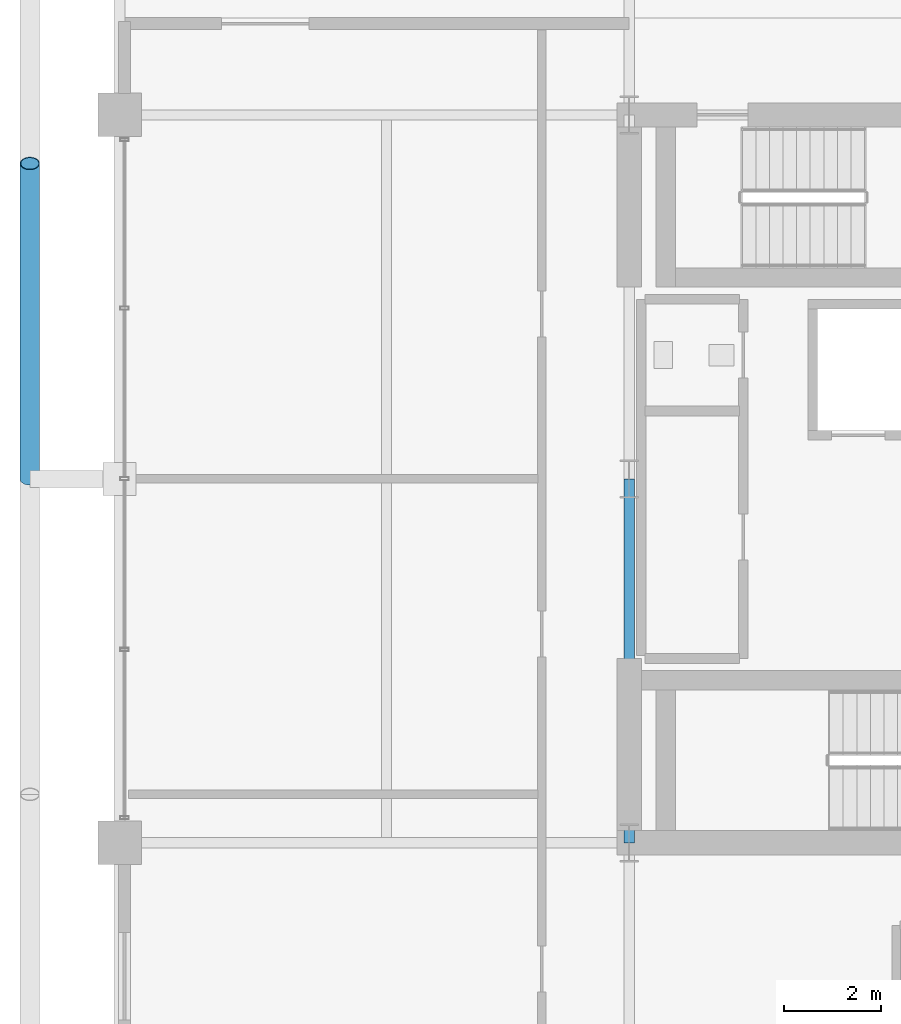
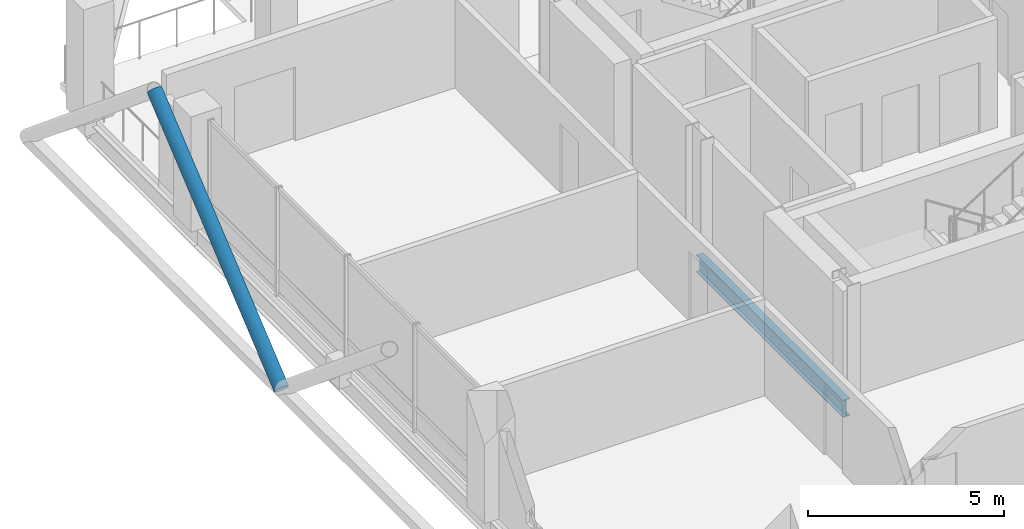
# One storey, part 9 of 21: 1 beam, 1 member.
"""IFC4 building model written with IfcOpenShell, lengths in metres."""

from ifc_helpers import new_model, si_unit, direction, frame, origin, origin_2d, place, context, subcontext, project, spatial, hollow_circle, i_section, extrude, material, material_profile, profile_set, type_object, element, save


model = new_model("IFC4")

# Units and contexts
model_context = context("Model", 3, precision=1e-05, world=origin(), true_north=direction((0.0, 1.0)))
body_context = subcontext(model_context, "Body", "Model", "MODEL_VIEW")
ifc_project = project(units=[si_unit("LENGTHUNIT", "METRE"), si_unit("AREAUNIT", "SQUARE_METRE"), si_unit("VOLUMEUNIT", "CUBIC_METRE"), si_unit("PLANEANGLEUNIT", "RADIAN"), si_unit("MASSUNIT", "GRAM", prefix="KILO")], contexts=[model_context])

# Site, building, storey
site_placement = place(None, origin())
site = spatial("IfcSite", under=ifc_project, at=site_placement, CompositionType="ELEMENT")
building_placement = place(site_placement, origin())
building = spatial("IfcBuilding", under=site, at=building_placement, Name="Barlavira Tower and Art Museum", CompositionType="ELEMENT")
storey_placement = place(building_placement, frame((0.0, 0.0, 261.89990234375)))
storey = spatial("IfcBuildingStorey", under=building, at=storey_placement, Name="L68", CompositionType="ELEMENT", Elevation=261.89990234375)

# Member
ifc_material = material(Name="Steel S355", Category="steel")
ifc_material_profile_1 = material_profile(ifc_material, hollow_circle(Radius=0.203125, WallThickness=0.01611328125, at=origin_2d()), Name="CHS 406.4x16.0")
ifc_profile_set_1 = profile_set([ifc_material_profile_1], Name="Steel S355")
member_type = type_object("IfcMemberType", Name="Pale-Metal Exoskeleton Diagrid Tube CHS 406x16 Steel S355", PredefinedType="BRACE", material=ifc_profile_set_1)
member_placement = place(storey_placement, frame((-18.85009765625, 0.0, -0.119873046875), z_axis=(0.0, 0.769196053329, 0.639012857104), x_axis=(-1.0, 0.0, 0.0)))
element("IfcMember", 1, at=member_placement, inside=storey, type_object=member_type, Name="L68 Exoskeleton Diagrid Tube W", PredefinedType="BRACE", context=body_context, shape_type="SweptSolid", body=[
    extrude(hollow_circle(Radius=0.203125, WallThickness=0.01611328125, at=origin_2d()), origin(), (0.0, 0.0, 1.0), 8.450439453125),
])

# Beam
ifc_material_profile_2 = material_profile(ifc_material, i_section(OverallWidth=0.2109375, OverallDepth=0.5390625, WebThickness=0.01171875, FlangeThickness=0.018798828125, at=origin_2d()), Name="W530x109.0")
ifc_profile_set_2 = profile_set([ifc_material_profile_2], Name="Steel S355")
beam_type = type_object("IfcBeamType", Name="Zone 3-4 Primary Floor Girder W530x109 Steel S355", PredefinedType="BEAM", material=ifc_profile_set_2)
beam_placement = place(storey_placement, frame((-6.5, -7.5, -0.489501953125), z_axis=(0.0, 1.0, 0.0), x_axis=(-1.0, 0.0, 0.0)))
element("IfcBeam", 2, at=beam_placement, inside=storey, type_object=beam_type, Name="L68 Girder C-W1", PredefinedType="BEAM", context=body_context, shape_type="SweptSolid", body=[
    extrude(i_section(OverallWidth=0.2109375, OverallDepth=0.5390625, WebThickness=0.01171875, FlangeThickness=0.018798828125, at=origin_2d()), origin(), (0.0, 0.0, 1.0), 7.5),
])

save(model, "model.ifc")
